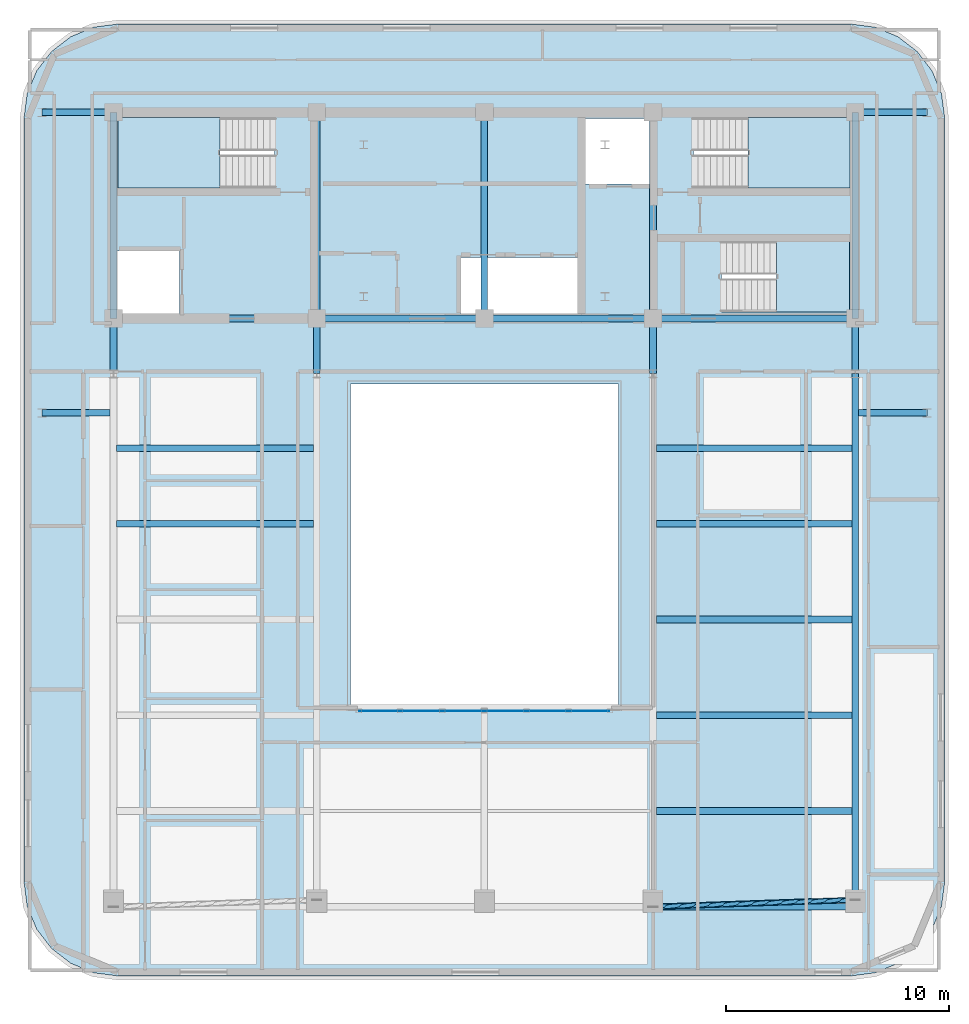
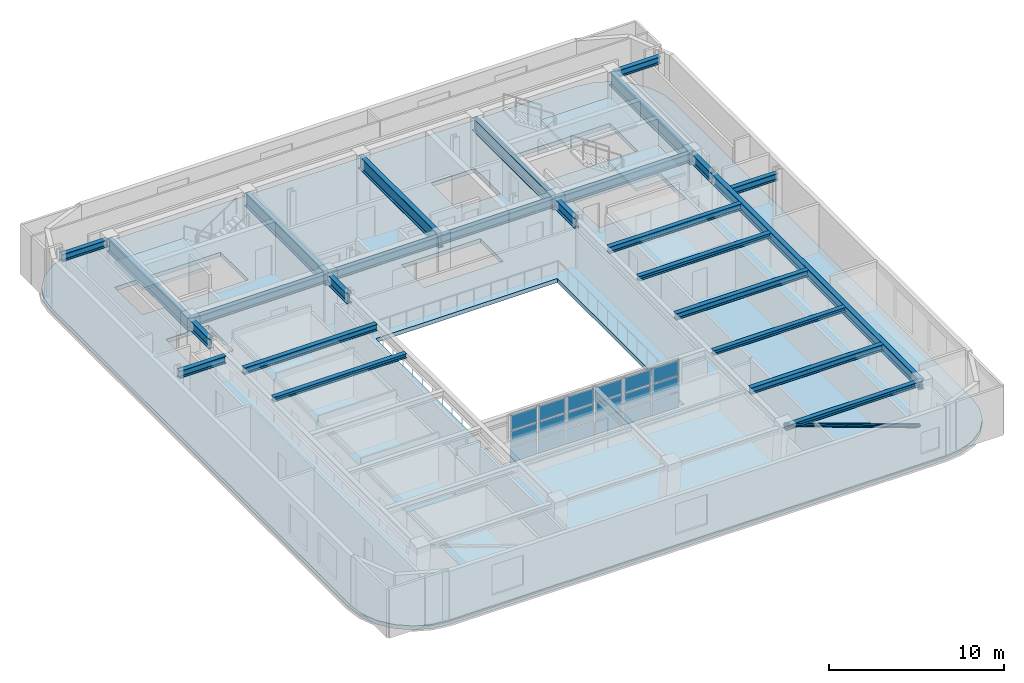
# One storey, part 4 of 12: 26 beams, 18 plates, 4 slabs, 1 member, 4 elements without a shape of their own.
"""IFC4 building model written with IfcOpenShell, lengths in metres."""

from ifc_helpers import new_model, si_unit, direction, frame, origin, origin_2d, place, context, subcontext, project, spatial, polyline, rectangle, hollow_circle, i_section, outline, extrude, material, layer, layer_set, material_profile, profile_set, type_object, element, aggregate, save


model = new_model("IFC4")

# Units and contexts
model_context = context("Model", 3, precision=1e-05, world=origin(), true_north=direction((0.0, 1.0)))
body_context = subcontext(model_context, "Body", "Model", "MODEL_VIEW")
ifc_project = project(units=[si_unit("LENGTHUNIT", "METRE"), si_unit("AREAUNIT", "SQUARE_METRE"), si_unit("VOLUMEUNIT", "CUBIC_METRE"), si_unit("PLANEANGLEUNIT", "RADIAN"), si_unit("MASSUNIT", "GRAM", prefix="KILO")], contexts=[model_context])

# Site, building, storey
site_placement = place(None, origin())
site = spatial("IfcSite", under=ifc_project, at=site_placement, CompositionType="ELEMENT")
building_placement = place(site_placement, origin())
building = spatial("IfcBuilding", under=site, at=building_placement, Name="Zarnavel Station Tower", CompositionType="ELEMENT")
storey_placement = place(building_placement, frame((0.0, 0.0, 269.5)))
storey = spatial("IfcBuildingStorey", under=building, at=storey_placement, Name="L73", CompositionType="ELEMENT", Elevation=269.5)

# Member
ifc_material_1 = material(Name="Steel S355J2", Category="steel")
ifc_material_profile_1 = material_profile(ifc_material_1, hollow_circle(Radius=0.122314453125, WallThickness=0.010009765625, at=origin_2d()), Name="CHS244.5x10")
ifc_profile_set_1 = profile_set([ifc_material_profile_1], Name="Steel S355J2")
member_type = type_object("IfcMemberType", Name="DB_EXT_CHS245", PredefinedType="BRACE", material=ifc_profile_set_1)
member_placement = place(storey_placement, frame((45.39990234375, 1.805908203125, 0.0), z_axis=(-0.934954974808, -0.032007603945, 0.353319555603), x_axis=(0.034214336452, -0.999414518196, 0.0)))
element("IfcMember", 1, at=member_placement, inside=storey, type_object=member_type, Name="L73 Persian Exterior Diagonal Frame Brace 2", PredefinedType="BRACE", context=body_context, shape_type="SweptSolid", body=[
    extrude(hollow_circle(Radius=0.122314453125, WallThickness=0.010009765625, at=origin_2d()), origin(), (0.0, 0.0, 1.0), 9.679443359375),
])

# Beams
ifc_material_2 = material(Name="Steel S355J2", Category="steel")
ifc_material_profile_2 = material_profile(ifc_material_2, i_section(OverallWidth=0.300048828125, OverallDepth=0.320068359375, WebThickness=0.011474609375, FlangeThickness=0.0205078125, FilletRadius=0.027099609375, at=origin_2d()), Name="HEB320")
ifc_profile_set_2 = profile_set([ifc_material_profile_2], Name="Steel S355J2")
beam_type_1 = type_object("IfcBeamType", Name="EB_HEB320", PredefinedType="SPANDREL", material=ifc_profile_set_2)
beam_1_placement = place(storey_placement, frame((36.35009765625, 1.49609375, 3.260009765625), z_axis=(1.0, 0.0, 0.0), x_axis=(0.0, 1.0, 0.0)))
element("IfcBeam", 2, at=beam_1_placement, inside=storey, type_object=beam_type_1, Name="L73 South Raked Spandrel 4", PredefinedType="SPANDREL", context=body_context, shape_type="SweptSolid", body=[
    extrude(i_section(OverallWidth=0.300048828125, OverallDepth=0.320068359375, WebThickness=0.011474609375, FlangeThickness=0.0205078125, FilletRadius=0.027099609375, at=origin_2d()), origin(), (0.0, 0.0, 1.0), 9.0498046875),
])
ifc_material_3 = material(Name="Steel S355J2", Category="steel")
ifc_material_profile_3 = material_profile(ifc_material_3, i_section(OverallWidth=0.300048828125, OverallDepth=0.31005859375, WebThickness=0.009033203125, FlangeThickness=0.015380859375, FilletRadius=0.027099609375, at=origin_2d()), Name="HEA320")
ifc_profile_set_3 = profile_set([ifc_material_profile_3], Name="Steel S355J2")
beam_type_2 = type_object("IfcBeamType", Name="FB_HEA320", PredefinedType="BEAM", material=ifc_profile_set_3)
beam_2_placement = place(storey_placement, frame((36.4951171875, 10.06396484375, 3.264892578125), z_axis=(1.0, 0.0, 0.0), x_axis=(0.0, 1.0, 0.0)))
element("IfcBeam", 3, at=beam_2_placement, inside=storey, type_object=beam_type_2, Name="L73 East Bay Beam 2", PredefinedType="BEAM", context=body_context, shape_type="SweptSolid", body=[
    extrude(i_section(OverallWidth=0.300048828125, OverallDepth=0.31005859375, WebThickness=0.009033203125, FlangeThickness=0.015380859375, FilletRadius=0.027099609375, at=origin_2d()), origin(), (0.0, 0.0, 1.0), 8.759765625),
])
beam_3_placement = place(storey_placement, frame((12.344970703125, 18.632080078125, 3.264892578125), z_axis=(1.0, 0.0, 0.0), x_axis=(0.0, 1.0, 0.0)))
element("IfcBeam", 4, at=beam_3_placement, inside=storey, type_object=beam_type_2, Name="L73 West Bay Beam 4", PredefinedType="BEAM", context=body_context, shape_type="SweptSolid", body=[
    extrude(i_section(OverallWidth=0.300048828125, OverallDepth=0.31005859375, WebThickness=0.009033203125, FlangeThickness=0.015380859375, FilletRadius=0.027099609375, at=origin_2d()), origin(), (0.0, 0.0, 1.0), 8.81005859375),
])
beam_4_placement = place(storey_placement, frame((36.4951171875, 18.632080078125, 3.264892578125), z_axis=(1.0, 0.0, 0.0), x_axis=(0.0, 1.0, 0.0)))
element("IfcBeam", 5, at=beam_4_placement, inside=storey, type_object=beam_type_2, Name="L73 East Bay Beam 4", PredefinedType="BEAM", context=body_context, shape_type="SweptSolid", body=[
    extrude(i_section(OverallWidth=0.300048828125, OverallDepth=0.31005859375, WebThickness=0.009033203125, FlangeThickness=0.015380859375, FilletRadius=0.027099609375, at=origin_2d()), origin(), (0.0, 0.0, 1.0), 8.759765625),
])
ifc_material_4 = material(Name="Steel S355J2", Category="steel")
ifc_material_profile_4 = material_profile(ifc_material_4, i_section(OverallWidth=0.300048828125, OverallDepth=0.43994140625, WebThickness=0.011474609375, FlangeThickness=0.02099609375, FilletRadius=0.027099609375, at=origin_2d()), Name="HEA450")
ifc_profile_set_4 = profile_set([ifc_material_profile_4], Name="Steel S355J2")
beam_type_3 = type_object("IfcBeamType", Name="FB_HEA450", PredefinedType="BEAM", material=ifc_profile_set_4)
for number, where, z_axis, x_axis, name in (
    (6, (36.4951171875, 5.780029296875, 3.199951171875), (1.0, 0.0, 0.0), (0.0, 1.0, 0.0), "L73 East Bay Beam 1"),
    (7, (36.4951171875, 14.347900390625, 3.199951171875), (1.0, 0.0, 0.0), (0.0, 1.0, 0.0), "L73 East Bay Beam 3"),
):
    element("IfcBeam", number, at=place(storey_placement, frame(where, z_axis=z_axis, x_axis=x_axis)), inside=storey, type_object=beam_type_3, Name=name, PredefinedType="BEAM", context=body_context, shape_type="SweptSolid", body=[
        extrude(i_section(OverallWidth=0.300048828125, OverallDepth=0.43994140625, WebThickness=0.011474609375, FlangeThickness=0.02099609375, FilletRadius=0.027099609375, at=origin_2d()), origin(), (0.0, 0.0, 1.0), 8.759765625),
    ])
beam_5_placement = place(storey_placement, frame((12.344970703125, 22.01611328125, 3.199951171875), z_axis=(1.0, 0.0, 0.0), x_axis=(0.0, 1.0, 0.0)))
element("IfcBeam", 8, at=beam_5_placement, inside=storey, type_object=beam_type_3, Name="L73 West Bay Beam 5", PredefinedType="BEAM", context=body_context, shape_type="SweptSolid", body=[
    extrude(i_section(OverallWidth=0.300048828125, OverallDepth=0.43994140625, WebThickness=0.011474609375, FlangeThickness=0.02099609375, FilletRadius=0.027099609375, at=origin_2d()), origin(), (0.0, 0.0, 1.0), 8.81005859375),
])
beam_6_placement = place(storey_placement, frame((36.4951171875, 22.01611328125, 3.199951171875), z_axis=(1.0, 0.0, 0.0), x_axis=(0.0, 1.0, 0.0)))
element("IfcBeam", 9, at=beam_6_placement, inside=storey, type_object=beam_type_3, Name="L73 East Bay Beam 5", PredefinedType="BEAM", context=body_context, shape_type="SweptSolid", body=[
    extrude(i_section(OverallWidth=0.300048828125, OverallDepth=0.43994140625, WebThickness=0.011474609375, FlangeThickness=0.02099609375, FilletRadius=0.027099609375, at=origin_2d()), origin(), (0.0, 0.0, 1.0), 8.759765625),
])
ifc_material_5 = material(Name="Steel S355J2", Category="steel")
ifc_material_profile_5 = material_profile(ifc_material_5, i_section(OverallWidth=0.300048828125, OverallDepth=0.5, WebThickness=0.014404296875, FlangeThickness=0.028076171875, FilletRadius=0.027099609375, at=origin_2d()), Name="HEB500")
ifc_profile_set_5 = profile_set([ifc_material_profile_5], Name="Steel S355J2")
beam_type_4 = type_object("IfcBeamType", Name="FG_HEB500", PredefinedType="USERDEFINED", material=ifc_profile_set_5)
for number, where, z_axis, x_axis, name in (
    (10, (9.0, 23.60009765625, 3.169921875), (1.0, 0.0, 0.0), (0.0, 1.0, 0.0), "L73 West Wing South Tie 1"),
    (11, (9.0, 37.050048828125, 3.169921875), (1.0, 0.0, 0.0), (0.0, 1.0, 0.0), "L73 West Wing North Tie 1"),
):
    element("IfcBeam", number, at=place(storey_placement, frame(where, z_axis=z_axis, x_axis=x_axis)), inside=storey, type_object=beam_type_4, Name=name, ObjectType="GIRDER", PredefinedType="USERDEFINED", context=body_context, shape_type="SweptSolid", body=[
        extrude(i_section(OverallWidth=0.300048828125, OverallDepth=0.5, WebThickness=0.014404296875, FlangeThickness=0.028076171875, FilletRadius=0.027099609375, at=origin_2d()), origin(), (0.0, 0.0, 1.0), 3.054931640625),
    ])
for number, where, z_axis, x_axis, name in (
    (12, (45.544921875, 23.60009765625, 3.169921875), (1.0, 0.0, 0.0), (0.0, 1.0, 0.0), "L73 East Wing South Tie 1"),
    (13, (45.544921875, 37.050048828125, 3.169921875), (1.0, 0.0, 0.0), (0.0, 1.0, 0.0), "L73 East Wing North Tie 1"),
):
    element("IfcBeam", number, at=place(storey_placement, frame(where, z_axis=z_axis, x_axis=x_axis)), inside=storey, type_object=beam_type_4, Name=name, ObjectType="GIRDER", PredefinedType="USERDEFINED", context=body_context, shape_type="SweptSolid", body=[
        extrude(i_section(OverallWidth=0.300048828125, OverallDepth=0.5, WebThickness=0.014404296875, FlangeThickness=0.028076171875, FilletRadius=0.027099609375, at=origin_2d()), origin(), (0.0, 0.0, 1.0), 3.05517578125),
    ])
ifc_material_6 = material(Name="Steel S355J2", Category="steel")
ifc_material_profile_6 = material_profile(ifc_material_6, i_section(OverallWidth=0.300048828125, OverallDepth=0.60009765625, WebThickness=0.015380859375, FlangeThickness=0.030029296875, FilletRadius=0.027099609375, at=origin_2d()), Name="HEB600")
ifc_profile_set_6 = profile_set([ifc_material_profile_6], Name="Steel S355J2")
beam_type_5 = type_object("IfcBeamType", Name="FG_HEB600", PredefinedType="USERDEFINED", material=ifc_profile_set_6)
beam_7_placement = place(storey_placement, frame((12.199951171875, 27.820068359375, 3.1201171875), z_axis=(1.0, 0.0, 0.0), x_axis=(0.0, 1.0, 0.0)))
element("IfcBeam", 14, at=beam_7_placement, inside=storey, type_object=beam_type_5, Name="L73 Core Front Coupling Beam 1", ObjectType="GIRDER", PredefinedType="USERDEFINED", context=body_context, shape_type="SweptSolid", body=[
    extrude(i_section(OverallWidth=0.300048828125, OverallDepth=0.60009765625, WebThickness=0.015380859375, FlangeThickness=0.030029296875, FilletRadius=0.027099609375, at=origin_2d()), origin(), (0.0, 0.0, 1.0), 9.10009765625),
])
beam_8_placement = place(storey_placement, frame((21.300048828125, 27.820068359375, 3.1201171875), z_axis=(1.0, 0.0, 0.0), x_axis=(0.0, 1.0, 0.0)))
element("IfcBeam", 15, at=beam_8_placement, inside=storey, type_object=beam_type_5, Name="L73 Core Front Coupling Beam 2", ObjectType="GIRDER", PredefinedType="USERDEFINED", context=body_context, shape_type="SweptSolid", body=[
    extrude(i_section(OverallWidth=0.300048828125, OverallDepth=0.60009765625, WebThickness=0.015380859375, FlangeThickness=0.030029296875, FilletRadius=0.027099609375, at=origin_2d()), origin(), (0.0, 0.0, 1.0), 7.5),
])
beam_9_placement = place(storey_placement, frame((28.800048828125, 27.820068359375, 3.1201171875), z_axis=(1.0, 0.0, 0.0), x_axis=(0.0, 1.0, 0.0)))
element("IfcBeam", 16, at=beam_9_placement, inside=storey, type_object=beam_type_5, Name="L73 Core Front Coupling Beam 3", ObjectType="GIRDER", PredefinedType="USERDEFINED", context=body_context, shape_type="SweptSolid", body=[
    extrude(i_section(OverallWidth=0.300048828125, OverallDepth=0.60009765625, WebThickness=0.015380859375, FlangeThickness=0.030029296875, FilletRadius=0.027099609375, at=origin_2d()), origin(), (0.0, 0.0, 1.0), 7.550048828125),
])
beam_10_placement = place(storey_placement, frame((36.35009765625, 27.820068359375, 3.1201171875), z_axis=(1.0, 0.0, 0.0), x_axis=(0.0, 1.0, 0.0)))
element("IfcBeam", 17, at=beam_10_placement, inside=storey, type_object=beam_type_5, Name="L73 Core Front Coupling Beam 4", ObjectType="GIRDER", PredefinedType="USERDEFINED", context=body_context, shape_type="SweptSolid", body=[
    extrude(i_section(OverallWidth=0.300048828125, OverallDepth=0.60009765625, WebThickness=0.015380859375, FlangeThickness=0.030029296875, FilletRadius=0.027099609375, at=origin_2d()), origin(), (0.0, 0.0, 1.0), 9.0498046875),
])
ifc_material_7 = material(Name="Steel S355J2", Category="steel")
ifc_material_profile_7 = material_profile(ifc_material_7, i_section(OverallWidth=0.300048828125, OverallDepth=0.699951171875, WebThickness=0.01708984375, FlangeThickness=0.031982421875, FilletRadius=0.027099609375, at=origin_2d()), Name="HEB700")
ifc_profile_set_7 = profile_set([ifc_material_profile_7], Name="Steel S355J2")
beam_type_6 = type_object("IfcBeamType", Name="FG_HEB700", PredefinedType="USERDEFINED", material=ifc_profile_set_7)
for number, where, z_axis, x_axis, name in (
    (18, (12.199951171875, 25.35009765625, 3.070068359375), (0.0, 1.0, 0.0), (-1.0, 0.0, 0.0), "L73 Inner-Zone NS Girder 1"),
    (19, (21.300048828125, 25.35009765625, 3.070068359375), (0.0, 1.0, 0.0), (-1.0, 0.0, 0.0), "L73 Inner-Zone NS Girder 2"),
    (20, (36.35009765625, 25.35009765625, 3.070068359375), (0.0, 1.0, 0.0), (-1.0, 0.0, 0.0), "L73 Inner-Zone NS Girder 4"),
):
    element("IfcBeam", number, at=place(storey_placement, frame(where, z_axis=z_axis, x_axis=x_axis)), inside=storey, type_object=beam_type_6, Name=name, ObjectType="GIRDER", PredefinedType="USERDEFINED", context=body_context, shape_type="SweptSolid", body=[
        extrude(i_section(OverallWidth=0.300048828125, OverallDepth=0.699951171875, WebThickness=0.01708984375, FlangeThickness=0.031982421875, FilletRadius=0.027099609375, at=origin_2d()), origin(), (0.0, 0.0, 1.0), 2.469970703125),
    ])
beam_11_placement = place(storey_placement, frame((45.39990234375, 1.49609375, 3.070068359375), z_axis=(0.0, 1.0, 0.0), x_axis=(-1.0, 0.0, 0.0)))
element("IfcBeam", 21, at=beam_11_placement, inside=storey, type_object=beam_type_6, Name="L73 South-Zone NS Girder 5", ObjectType="GIRDER", PredefinedType="USERDEFINED", context=body_context, shape_type="SweptSolid", body=[
    extrude(i_section(OverallWidth=0.300048828125, OverallDepth=0.699951171875, WebThickness=0.01708984375, FlangeThickness=0.031982421875, FilletRadius=0.027099609375, at=origin_2d()), origin(), (0.0, 0.0, 1.0), 23.85400390625),
])
beam_12_placement = place(storey_placement, frame((45.39990234375, 25.35009765625, 3.070068359375), z_axis=(0.0, 1.0, 0.0), x_axis=(-1.0, 0.0, 0.0)))
element("IfcBeam", 22, at=beam_12_placement, inside=storey, type_object=beam_type_6, Name="L73 Inner-Zone NS Girder 5", ObjectType="GIRDER", PredefinedType="USERDEFINED", context=body_context, shape_type="SweptSolid", body=[
    extrude(i_section(OverallWidth=0.300048828125, OverallDepth=0.699951171875, WebThickness=0.01708984375, FlangeThickness=0.031982421875, FilletRadius=0.027099609375, at=origin_2d()), origin(), (0.0, 0.0, 1.0), 2.469970703125),
])
ifc_material_8 = material(Name="Steel S460M", Category="steel")
ifc_material_profile_8 = material_profile(ifc_material_8, i_section(OverallWidth=0.302001953125, OverallDepth=0.909912109375, WebThickness=0.02099609375, FlangeThickness=0.0400390625, FilletRadius=0.030029296875, at=origin_2d()), Name="HEM900")
ifc_profile_set_8 = profile_set([ifc_material_profile_8], Name="Steel S460M")
beam_type_7 = type_object("IfcBeamType", Name="TG_HEM900", PredefinedType="USERDEFINED", material=ifc_profile_set_8)
for number, where, z_axis, x_axis, name in (
    (23, (12.199951171875, 27.820068359375, 2.965087890625), (0.0, 1.0, 0.0), (-1.0, 0.0, 0.0), "L73 Core Spine Coupling Girder 1"),
    (24, (21.300048828125, 27.820068359375, 2.965087890625), (0.0, 1.0, 0.0), (-1.0, 0.0, 0.0), "L73 Core Spine Coupling Girder 2"),
    (25, (28.800048828125, 27.820068359375, 2.965087890625), (0.0, 1.0, 0.0), (-1.0, 0.0, 0.0), "L73 Core Spine Coupling Girder 3"),
    (26, (36.35009765625, 27.820068359375, 2.965087890625), (0.0, 1.0, 0.0), (-1.0, 0.0, 0.0), "L73 Core Spine Coupling Girder 4"),
    (27, (45.39990234375, 27.820068359375, 2.965087890625), (0.0, 1.0, 0.0), (-1.0, 0.0, 0.0), "L73 Core Spine Coupling Girder 5"),
):
    element("IfcBeam", number, at=place(storey_placement, frame(where, z_axis=z_axis, x_axis=x_axis)), inside=storey, type_object=beam_type_7, Name=name, ObjectType="GIRDER", PredefinedType="USERDEFINED", context=body_context, shape_type="SweptSolid", body=[
        extrude(i_section(OverallWidth=0.302001953125, OverallDepth=0.909912109375, WebThickness=0.02099609375, FlangeThickness=0.0400390625, FilletRadius=0.030029296875, at=origin_2d()), origin(), (0.0, 0.0, 1.0), 9.22998046875),
    ])

# Curtain wall, plates
ifc_material_9 = material(Name="Aluminium Dark Anodised and Solar-Control Glass", Category="aluminium")
ifc_layer_1 = layer(ifc_material_9, 0.179931640625)
ifc_layer_set_1 = layer_set([ifc_layer_1], Name="CWS6")
curtain_wall_type = type_object("IfcCurtainWallType", Name="CWS6", PredefinedType="NOTDEFINED", material=ifc_layer_set_1)
curtain_wall_placement = place(storey_placement, origin())
curtain_wall = element("IfcCurtainWall", 28, at=curtain_wall_placement, inside=storey, type_object=curtain_wall_type, Name="L73 Curtain Wall CWS6-L73-AS", PredefinedType="NOTDEFINED")
ifc_material_10 = material(Name="Double Low-E Dark Solar-Control Glass", Category="glass")
ifc_layer_2 = layer(ifc_material_10, 0.0380859375)
ifc_layer_set_2 = layer_set([ifc_layer_2], Name="CWS6_PNL")
plate_type = type_object("IfcPlateType", Name="CWS6_PNL", PredefinedType="CURTAIN_PANEL", material=ifc_layer_set_2)
plate_1_placement = place(storey_placement, frame((24.106689453125, 10.25, 0.06005859375), z_axis=(0.0, 0.0, 1.0), x_axis=(1.0, 0.0, 0.0)))
plate_1 = element("IfcPlate", 29, at=plate_1_placement, type_object=plate_type, Name="CW6 panel 1.1", PredefinedType="CURTAIN_PANEL", context=body_context, shape_type="SweptSolid", body=[
    extrude(rectangle(XDim=1.793212890625, YDim=0.028076171875, at=origin_2d()), origin(), (0.0, 0.0, 1.0), 1.050048828125),
])
plate_2_placement = place(storey_placement, frame((24.106689453125, 10.25, 1.169921875), z_axis=(0.0, 0.0, 1.0), x_axis=(1.0, 0.0, 0.0)))
plate_2 = element("IfcPlate", 30, at=plate_2_placement, type_object=plate_type, Name="CW6 panel 1.2", PredefinedType="CURTAIN_PANEL", context=body_context, shape_type="SweptSolid", body=[
    extrude(rectangle(XDim=1.793212890625, YDim=0.028076171875, at=origin_2d()), origin(), (0.0, 0.0, 1.0), 1.080078125),
])
plate_3_placement = place(storey_placement, frame((24.106689453125, 10.25, 2.31005859375), z_axis=(0.0, 0.0, 1.0), x_axis=(1.0, 0.0, 0.0)))
plate_3 = element("IfcPlate", 31, at=plate_3_placement, type_object=plate_type, Name="CW6 panel 1.3", PredefinedType="CURTAIN_PANEL", context=body_context, shape_type="SweptSolid", body=[
    extrude(rectangle(XDim=1.793212890625, YDim=0.028076171875, at=origin_2d()), origin(), (0.0, 0.0, 1.0), 1.050048828125),
])
plate_4_placement = place(storey_placement, frame((25.97509765625, 10.25, 0.06005859375), z_axis=(0.0, 0.0, 1.0), x_axis=(1.0, 0.0, 0.0)))
plate_4 = element("IfcPlate", 32, at=plate_4_placement, type_object=plate_type, Name="CW6 panel 2.1", PredefinedType="CURTAIN_PANEL", context=body_context, shape_type="SweptSolid", body=[
    extrude(rectangle(XDim=1.8232421875, YDim=0.028076171875, at=origin_2d()), origin(), (0.0, 0.0, 1.0), 1.050048828125),
])
plate_5_placement = place(storey_placement, frame((25.97509765625, 10.25, 1.169921875), z_axis=(0.0, 0.0, 1.0), x_axis=(1.0, 0.0, 0.0)))
plate_5 = element("IfcPlate", 33, at=plate_5_placement, type_object=plate_type, Name="CW6 panel 2.2", PredefinedType="CURTAIN_PANEL", context=body_context, shape_type="SweptSolid", body=[
    extrude(rectangle(XDim=1.8232421875, YDim=0.028076171875, at=origin_2d()), origin(), (0.0, 0.0, 1.0), 1.080078125),
])
plate_6_placement = place(storey_placement, frame((25.97509765625, 10.25, 2.31005859375), z_axis=(0.0, 0.0, 1.0), x_axis=(1.0, 0.0, 0.0)))
plate_6 = element("IfcPlate", 34, at=plate_6_placement, type_object=plate_type, Name="CW6 panel 2.3", PredefinedType="CURTAIN_PANEL", context=body_context, shape_type="SweptSolid", body=[
    extrude(rectangle(XDim=1.8232421875, YDim=0.028076171875, at=origin_2d()), origin(), (0.0, 0.0, 1.0), 1.050048828125),
])
plate_7_placement = place(storey_placement, frame((27.8583984375, 10.25, 0.06005859375), z_axis=(0.0, 0.0, 1.0), x_axis=(1.0, 0.0, 0.0)))
plate_7 = element("IfcPlate", 35, at=plate_7_placement, type_object=plate_type, Name="CW6 panel 3.1", PredefinedType="CURTAIN_PANEL", context=body_context, shape_type="SweptSolid", body=[
    extrude(rectangle(XDim=1.8232421875, YDim=0.028076171875, at=origin_2d()), origin(), (0.0, 0.0, 1.0), 1.050048828125),
])
plate_8_placement = place(storey_placement, frame((27.8583984375, 10.25, 1.169921875), z_axis=(0.0, 0.0, 1.0), x_axis=(1.0, 0.0, 0.0)))
plate_8 = element("IfcPlate", 36, at=plate_8_placement, type_object=plate_type, Name="CW6 panel 3.2", PredefinedType="CURTAIN_PANEL", context=body_context, shape_type="SweptSolid", body=[
    extrude(rectangle(XDim=1.8232421875, YDim=0.028076171875, at=origin_2d()), origin(), (0.0, 0.0, 1.0), 1.080078125),
])
plate_9_placement = place(storey_placement, frame((27.8583984375, 10.25, 2.31005859375), z_axis=(0.0, 0.0, 1.0), x_axis=(1.0, 0.0, 0.0)))
plate_9 = element("IfcPlate", 37, at=plate_9_placement, type_object=plate_type, Name="CW6 panel 3.3", PredefinedType="CURTAIN_PANEL", context=body_context, shape_type="SweptSolid", body=[
    extrude(rectangle(XDim=1.8232421875, YDim=0.028076171875, at=origin_2d()), origin(), (0.0, 0.0, 1.0), 1.050048828125),
])
plate_10_placement = place(storey_placement, frame((29.74169921875, 10.25, 0.06005859375), z_axis=(0.0, 0.0, 1.0), x_axis=(1.0, 0.0, 0.0)))
plate_10 = element("IfcPlate", 38, at=plate_10_placement, type_object=plate_type, Name="CW6 panel 4.1", PredefinedType="CURTAIN_PANEL", context=body_context, shape_type="SweptSolid", body=[
    extrude(rectangle(XDim=1.8232421875, YDim=0.028076171875, at=origin_2d()), origin(), (0.0, 0.0, 1.0), 1.050048828125),
])
plate_11_placement = place(storey_placement, frame((29.74169921875, 10.25, 1.169921875), z_axis=(0.0, 0.0, 1.0), x_axis=(1.0, 0.0, 0.0)))
plate_11 = element("IfcPlate", 39, at=plate_11_placement, type_object=plate_type, Name="CW6 panel 4.2", PredefinedType="CURTAIN_PANEL", context=body_context, shape_type="SweptSolid", body=[
    extrude(rectangle(XDim=1.8232421875, YDim=0.028076171875, at=origin_2d()), origin(), (0.0, 0.0, 1.0), 1.080078125),
])
plate_12_placement = place(storey_placement, frame((29.74169921875, 10.25, 2.31005859375), z_axis=(0.0, 0.0, 1.0), x_axis=(1.0, 0.0, 0.0)))
plate_12 = element("IfcPlate", 40, at=plate_12_placement, type_object=plate_type, Name="CW6 panel 4.3", PredefinedType="CURTAIN_PANEL", context=body_context, shape_type="SweptSolid", body=[
    extrude(rectangle(XDim=1.8232421875, YDim=0.028076171875, at=origin_2d()), origin(), (0.0, 0.0, 1.0), 1.050048828125),
])
plate_13_placement = place(storey_placement, frame((31.625, 10.25, 0.06005859375), z_axis=(0.0, 0.0, 1.0), x_axis=(1.0, 0.0, 0.0)))
plate_13 = element("IfcPlate", 41, at=plate_13_placement, type_object=plate_type, Name="CW6 panel 5.1", PredefinedType="CURTAIN_PANEL", context=body_context, shape_type="SweptSolid", body=[
    extrude(rectangle(XDim=1.8232421875, YDim=0.028076171875, at=origin_2d()), origin(), (0.0, 0.0, 1.0), 1.050048828125),
])
plate_14_placement = place(storey_placement, frame((31.625, 10.25, 1.169921875), z_axis=(0.0, 0.0, 1.0), x_axis=(1.0, 0.0, 0.0)))
plate_14 = element("IfcPlate", 42, at=plate_14_placement, type_object=plate_type, Name="CW6 panel 5.2", PredefinedType="CURTAIN_PANEL", context=body_context, shape_type="SweptSolid", body=[
    extrude(rectangle(XDim=1.8232421875, YDim=0.028076171875, at=origin_2d()), origin(), (0.0, 0.0, 1.0), 1.080078125),
])
plate_15_placement = place(storey_placement, frame((31.625, 10.25, 2.31005859375), z_axis=(0.0, 0.0, 1.0), x_axis=(1.0, 0.0, 0.0)))
plate_15 = element("IfcPlate", 43, at=plate_15_placement, type_object=plate_type, Name="CW6 panel 5.3", PredefinedType="CURTAIN_PANEL", context=body_context, shape_type="SweptSolid", body=[
    extrude(rectangle(XDim=1.8232421875, YDim=0.028076171875, at=origin_2d()), origin(), (0.0, 0.0, 1.0), 1.050048828125),
])
plate_16_placement = place(storey_placement, frame((33.493408203125, 10.25, 0.06005859375), z_axis=(0.0, 0.0, 1.0), x_axis=(1.0, 0.0, 0.0)))
plate_16 = element("IfcPlate", 44, at=plate_16_placement, type_object=plate_type, Name="CW6 panel 6.1", PredefinedType="CURTAIN_PANEL", context=body_context, shape_type="SweptSolid", body=[
    extrude(rectangle(XDim=1.793212890625, YDim=0.028076171875, at=origin_2d()), origin(), (0.0, 0.0, 1.0), 1.050048828125),
])
plate_17_placement = place(storey_placement, frame((33.493408203125, 10.25, 1.169921875), z_axis=(0.0, 0.0, 1.0), x_axis=(1.0, 0.0, 0.0)))
plate_17 = element("IfcPlate", 45, at=plate_17_placement, type_object=plate_type, Name="CW6 panel 6.2", PredefinedType="CURTAIN_PANEL", context=body_context, shape_type="SweptSolid", body=[
    extrude(rectangle(XDim=1.793212890625, YDim=0.028076171875, at=origin_2d()), origin(), (0.0, 0.0, 1.0), 1.080078125),
])
plate_18_placement = place(storey_placement, frame((33.493408203125, 10.25, 2.31005859375), z_axis=(0.0, 0.0, 1.0), x_axis=(1.0, 0.0, 0.0)))
plate_18 = element("IfcPlate", 46, at=plate_18_placement, type_object=plate_type, Name="CW6 panel 6.3", PredefinedType="CURTAIN_PANEL", context=body_context, shape_type="SweptSolid", body=[
    extrude(rectangle(XDim=1.793212890625, YDim=0.028076171875, at=origin_2d()), origin(), (0.0, 0.0, 1.0), 1.050048828125),
])
aggregate(curtain_wall, [plate_1, plate_2, plate_3, plate_4, plate_5, plate_6, plate_7, plate_8, plate_9, plate_10, plate_11, plate_12, plate_13, plate_14, plate_15, plate_16, plate_17, plate_18])

# Slab
ifc_material_11 = material(Name="Concrete C45/55", Category="concrete")
ifc_layer_3 = layer(ifc_material_11, 0.280029296875)
ifc_layer_set_3 = layer_set([ifc_layer_3], Name="SL_FLR_280")
slab_type_1 = type_object("IfcSlabType", Name="SL_FLR_280", PredefinedType="FLOOR", material=ifc_layer_set_3)
slab_1_placement = place(storey_placement, frame((0.0, 0.0, -0.280029296875)))
element("IfcSlab", 47, at=slab_1_placement, inside=storey, type_object=slab_type_1, Name="L73 Structural Floor Slab", PredefinedType="FLOOR", context=body_context, shape_type="SweptSolid", body=[
    extrude(outline(polyline([(45.199951171875, -1.60009765625), (46.287109375, -1.456787109375), (47.300048828125, -1.037353515625), (48.169921875, -0.369873046875), (48.83740234375, 0.5), (49.2568359375, 1.512939453125), (49.39990234375, 2.60009765625), (49.39990234375, 36.800048828125), (49.2568359375, 37.886962890625), (48.83740234375, 38.89990234375), (48.169921875, 39.769775390625), (47.300048828125, 40.437255859375), (46.287109375, 40.85693359375), (45.199951171875, 41.0), (12.39990234375, 41.0), (11.31298828125, 40.85693359375), (10.300048828125, 40.437255859375), (9.43017578125, 39.769775390625), (8.7626953125, 38.89990234375), (8.343017578125, 37.886962890625), (8.199951171875, 36.800048828125), (8.199951171875, 2.60009765625), (8.343017578125, 1.512939453125), (8.7626953125, 0.5), (9.43017578125, -0.369873046875), (10.300048828125, -1.037353515625), (11.31298828125, -1.456787109375), (12.39990234375, -1.60009765625), (45.199951171875, -1.60009765625)]), holes=[polyline([(12.39990234375, 33.659912109375), (19.409912109375, 33.659912109375), (19.409912109375, 36.820068359375), (12.39990234375, 36.820068359375), (12.39990234375, 33.659912109375)]), polyline([(38.14990234375, 33.659912109375), (45.159912109375, 33.659912109375), (45.159912109375, 36.820068359375), (38.14990234375, 36.820068359375), (38.14990234375, 33.659912109375)]), polyline([(39.419921875, 28.1201171875), (45.14990234375, 28.1201171875), (45.14990234375, 31.280029296875), (39.419921875, 31.280029296875), (39.419921875, 28.1201171875)]), polyline([(12.35009765625, 27.949951171875), (15.14990234375, 27.949951171875), (15.14990234375, 30.85009765625), (12.35009765625, 30.85009765625), (12.35009765625, 27.949951171875)]), polyline([(33.320068359375, 33.85009765625), (36.2099609375, 33.85009765625), (36.2099609375, 36.780029296875), (33.320068359375, 36.780029296875), (33.320068359375, 33.85009765625)]), polyline([(27.75, 27.949951171875), (32.97998046875, 27.949951171875), (32.97998046875, 30.550048828125), (27.75, 30.550048828125), (27.75, 27.949951171875)]), polyline([(22.800048828125, 10.39990234375), (34.800048828125, 10.39990234375), (34.800048828125, 24.89990234375), (22.800048828125, 24.89990234375), (22.800048828125, 10.39990234375)])]), origin(), (0.0, 0.0, 1.0), 0.280029296875),
])

# Stair, slab
ifc_material_12 = material(Name="Concrete C45/55", Category="concrete")
stair_type = type_object("IfcStairType", Name="ST_CORE_150", PredefinedType="HALF_TURN_STAIR", material=ifc_material_12)
stair_1_placement = place(storey_placement, origin())
stair_1 = element("IfcStair", 48, at=stair_1_placement, inside=storey, type_object=stair_type, Name="L73 Core Exit Stair ST1", PredefinedType="HALF_TURN_STAIR")
ifc_material_13 = material(Name="Concrete C45/55", Category="concrete")
ifc_layer_4 = layer(ifc_material_13, 0.199951171875)
ifc_layer_set_4 = layer_set([ifc_layer_4], Name="SL_STAIR_LAND_200")
slab_type_2 = type_object("IfcSlabType", Name="SL_STAIR_LAND_200", PredefinedType="LANDING", material=ifc_layer_set_4)
slab_2_placement = place(storey_placement, frame((0.0, 0.0, 1.64990234375)))
slab_2 = element("IfcSlab", 49, at=slab_2_placement, type_object=slab_type_2, Name="ST1 landing 1", PredefinedType="LANDING", context=body_context, shape_type="SweptSolid", body=[
    extrude(outline(polyline([(16.9599609375, 36.820068359375), (12.39990234375, 36.820068359375), (12.39990234375, 33.659912109375), (16.9599609375, 33.659912109375), (16.9599609375, 36.820068359375)])), origin(), (0.0, 0.0, 1.0), 0.2001953125),
])
aggregate(stair_1, [slab_2])

stair_2_placement = place(storey_placement, origin())
stair_2 = element("IfcStair", 50, at=stair_2_placement, inside=storey, type_object=stair_type, Name="L73 Core Exit Stair ST2", PredefinedType="HALF_TURN_STAIR")
slab_3_placement = place(storey_placement, frame((0.0, 0.0, 1.64990234375)))
slab_3 = element("IfcSlab", 51, at=slab_3_placement, type_object=slab_type_2, Name="ST2 landing 1", PredefinedType="LANDING", context=body_context, shape_type="SweptSolid", body=[
    extrude(outline(polyline([(40.60009765625, 33.659912109375), (45.159912109375, 33.659912109375), (45.159912109375, 36.820068359375), (40.60009765625, 36.820068359375), (40.60009765625, 33.659912109375)])), origin(), (0.0, 0.0, 1.0), 0.2001953125),
])
aggregate(stair_2, [slab_3])

stair_3_placement = place(storey_placement, origin())
stair_3 = element("IfcStair", 52, at=stair_3_placement, inside=storey, type_object=stair_type, Name="L73 Core Exit Stair ST3", PredefinedType="HALF_TURN_STAIR")
slab_4_placement = place(storey_placement, frame((0.0, 0.0, 1.64990234375)))
slab_4 = element("IfcSlab", 53, at=slab_4_placement, type_object=slab_type_2, Name="ST3 landing 1", PredefinedType="LANDING", context=body_context, shape_type="SweptSolid", body=[
    extrude(outline(polyline([(41.8701171875, 28.1201171875), (45.14990234375, 28.1201171875), (45.14990234375, 31.280029296875), (41.8701171875, 31.280029296875), (41.8701171875, 28.1201171875)])), origin(), (0.0, 0.0, 1.0), 0.2001953125),
])
aggregate(stair_3, [slab_4])

save(model, "model.ifc")
